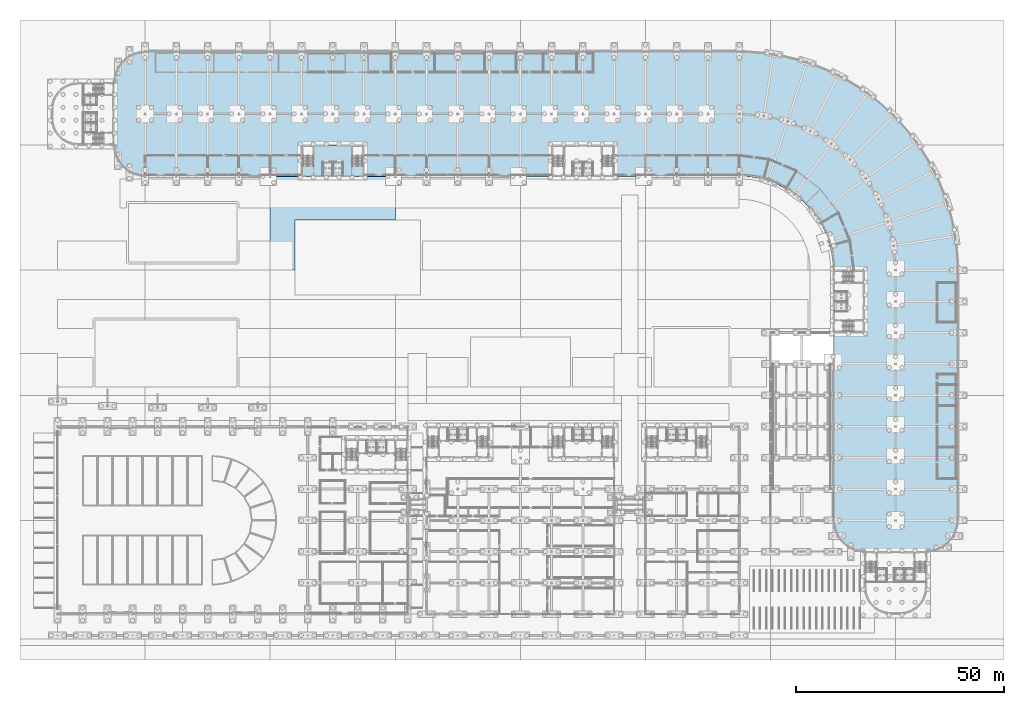
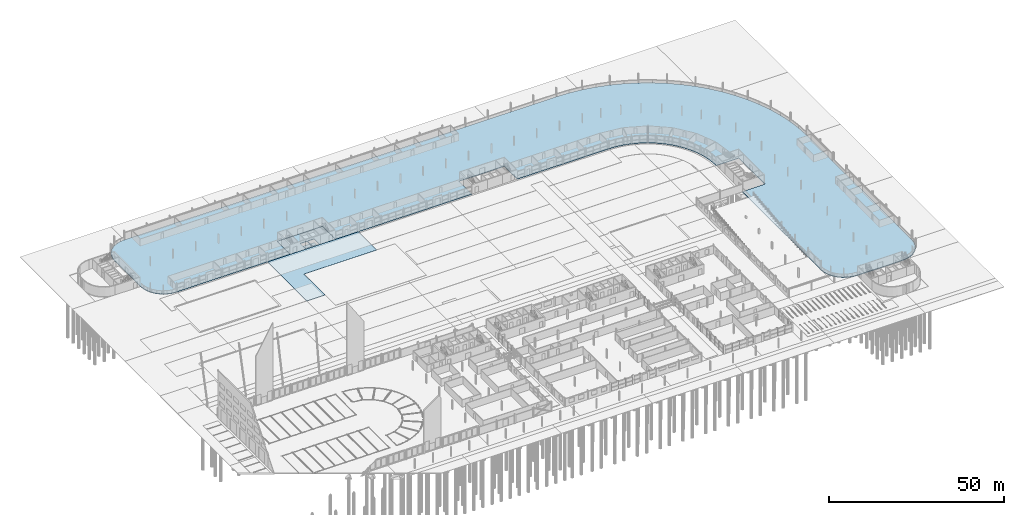
# One storey, part 69 of 130: 4 slabs.
"""IFC4 building model written with IfcOpenShell, lengths in metres."""

from ifc_helpers import new_model, si_unit, direction, frame, origin, place, context, subcontext, project, spatial, polyline, outline, extrude, material, layer, layer_set, type_object, element, save


model = new_model("IFC4")

# Units and contexts
model_context = context("Model", 3, precision=1e-05, world=origin(), true_north=direction((0.0, 1.0)))
body_context = subcontext(model_context, "Body", "Model", "MODEL_VIEW")
ifc_project = project(units=[si_unit("LENGTHUNIT", "METRE"), si_unit("AREAUNIT", "SQUARE_METRE"), si_unit("VOLUMEUNIT", "CUBIC_METRE"), si_unit("PLANEANGLEUNIT", "RADIAN"), si_unit("MASSUNIT", "GRAM", prefix="KILO")], contexts=[model_context])

# Site, building, storey
site_placement = place(None, origin())
site = spatial("IfcSite", under=ifc_project, at=site_placement, CompositionType="ELEMENT")
building_placement = place(site_placement, origin())
building = spatial("IfcBuilding", under=site, at=building_placement, Name="Parallax Yard Mobility Hub", CompositionType="ELEMENT")
storey_placement = place(building_placement, origin())
storey = spatial("IfcBuildingStorey", under=building, at=storey_placement, Name="L00", CompositionType="ELEMENT", Elevation=0.0)

# Slabs
ifc_material = material(Name="Concrete fc' 28 MPa", Category="concrete")
ifc_layer_1 = layer(ifc_material, 0.199951171875)
ifc_layer_set_1 = layer_set([ifc_layer_1], Name="Core ground slab 200")
slab_type_1 = type_object("IfcSlabType", Name="Core ground slab 200", PredefinedType="BASESLAB", material=ifc_layer_set_1)
slab_1_placement = place(storey_placement, frame((0.0, 0.0, -0.199951171875)))
element("IfcSlab", 1, at=slab_1_placement, inside=storey, type_object=slab_type_1, Name="Core C-N1 ground slab", PredefinedType="BASESLAB", context=body_context, shape_type="SweptSolid", body=[
    extrude(outline(polyline([(82.5, 112.5), (67.5, 112.5), (67.5, 120.0), (82.5, 120.0), (82.5, 112.5)]), holes=[polyline([(77.300048828125, 112.800048828125), (77.300048828125, 115.800048828125), (75.10009765625, 115.800048828125), (75.10009765625, 112.800048828125), (77.300048828125, 112.800048828125)]), polyline([(72.699951171875, 112.800048828125), (74.89990234375, 112.800048828125), (74.89990234375, 115.800048828125), (72.699951171875, 115.800048828125), (72.699951171875, 112.800048828125)])]), origin(), (0.0, 0.0, 1.0), 0.199951171875),
])
ifc_layer_2 = layer(ifc_material, 0.199951171875)
ifc_layer_set_2 = layer_set([ifc_layer_2], Name="Ground slab 200")
slab_type_2 = type_object("IfcSlabType", Name="Ground slab 200", PredefinedType="BASESLAB", material=ifc_layer_set_2)
slab_2_placement = place(storey_placement, frame((0.0, 0.0, -0.199951171875)))
element("IfcSlab", 2, at=slab_2_placement, inside=storey, type_object=slab_type_2, Name="Ground slab of the ramped parking decks", PredefinedType="BASESLAB", context=body_context, shape_type="SweptSolid", body=[
    extrude(outline(polyline([(25.833251953125, 141.236083984375), (24.69677734375, 140.30322265625), (23.763916015625, 139.166748046875), (23.07080078125, 137.8701171875), (22.64404296875, 136.463134765625), (22.5, 135.0), (22.5, 120.0), (22.64404296875, 118.536865234375), (23.07080078125, 117.1298828125), (23.763916015625, 115.833251953125), (24.69677734375, 114.69677734375), (25.833251953125, 113.763916015625), (27.1298828125, 113.07080078125), (28.536865234375, 112.64404296875), (30.0, 112.5), (67.5, 112.5), (67.5, 120.0), (82.5, 120.0), (82.5, 112.5), (127.5, 112.5), (127.5, 120.0), (142.5, 120.0), (142.5, 112.5), (172.5, 112.5), (173.9716796875, 112.451904296875), (175.436767578125, 112.3076171875), (176.889404296875, 112.067626953125), (178.323486328125, 111.7333984375), (179.732421875, 111.305908203125), (181.1103515625, 110.787353515625), (182.451416015625, 110.1796875), (183.75, 109.485595703125), (185.000244140625, 108.7080078125), (186.197021484375, 107.8505859375), (187.335205078125, 106.91650390625), (188.409912109375, 105.909912109375), (189.41650390625, 104.835205078125), (190.3505859375, 103.697021484375), (191.2080078125, 102.500244140625), (191.985595703125, 101.25), (192.6796875, 99.951416015625), (193.287353515625, 98.6103515625), (193.805908203125, 97.232421875), (194.2333984375, 95.823486328125), (194.567626953125, 94.389404296875), (194.8076171875, 92.936767578125), (194.951904296875, 91.4716796875), (195.0, 90.0), (202.5, 90.0), (202.5, 75.0), (195.0, 75.0), (195.0, 30.0), (195.14404296875, 28.536865234375), (195.57080078125, 27.1298828125), (196.263916015625, 25.833251953125), (197.19677734375, 24.69677734375), (198.333251953125, 23.763916015625), (199.6298828125, 23.07080078125), (201.036865234375, 22.64404296875), (202.5, 22.5), (217.5, 22.5), (218.963134765625, 22.64404296875), (220.3701171875, 23.07080078125), (221.666748046875, 23.763916015625), (222.80322265625, 24.69677734375), (223.736083984375, 25.833251953125), (224.42919921875, 27.1298828125), (224.85595703125, 28.536865234375), (225.0, 30.0), (225.0, 90.0), (224.978515625, 91.499267578125), (224.914306640625, 92.997314453125), (224.807373046875, 94.49267578125), (224.65771484375, 95.984619140625), (224.465576171875, 97.471435546875), (224.231201171875, 98.952392578125), (223.954345703125, 100.426025390625), (223.635498046875, 101.89111328125), (223.275146484375, 103.346435546875), (222.873291015625, 104.791015625), (222.430419921875, 106.223388671875), (221.94677734375, 107.642578125), (221.4228515625, 109.04736328125), (220.85888671875, 110.436767578125), (220.255615234375, 111.809326171875), (219.61328125, 113.1640625), (218.9326171875, 114.5), (218.214111328125, 115.81591796875), (217.458251953125, 117.11083984375), (216.665771484375, 118.383544921875), (215.83740234375, 119.63330078125), (214.973388671875, 120.858642578125), (214.074951171875, 122.05908203125), (213.142333984375, 123.233154296875), (212.177001953125, 124.380126953125), (211.178955078125, 125.499267578125), (210.1494140625, 126.589111328125), (209.089111328125, 127.6494140625), (207.999267578125, 128.678955078125), (206.880126953125, 129.677001953125), (205.733154296875, 130.642333984375), (204.55908203125, 131.574951171875), (203.358642578125, 132.473388671875), (202.13330078125, 133.33740234375), (200.883544921875, 134.165771484375), (199.61083984375, 134.958251953125), (198.31591796875, 135.714111328125), (197.0, 136.4326171875), (195.6640625, 137.11328125), (194.309326171875, 137.755615234375), (192.936767578125, 138.35888671875), (191.54736328125, 138.9228515625), (190.142578125, 139.44677734375), (188.723388671875, 139.930419921875), (187.291015625, 140.373291015625), (185.846435546875, 140.775146484375), (184.39111328125, 141.135498046875), (182.926025390625, 141.454345703125), (181.452392578125, 141.731201171875), (179.971435546875, 141.965576171875), (178.484619140625, 142.15771484375), (176.99267578125, 142.307373046875), (175.497314453125, 142.414306640625), (173.999267578125, 142.478515625), (172.5, 142.5), (30.0, 142.5), (28.536865234375, 142.35595703125), (27.1298828125, 141.92919921875), (25.833251953125, 141.236083984375)])), origin(), (0.0, 0.0, 1.0), 0.199951171875),
])
ifc_layer_3 = layer(ifc_material, 0.300048828125)
ifc_layer_set_3 = layer_set([ifc_layer_3], Name="Lift pit slab 300")
slab_type_3 = type_object("IfcSlabType", Name="Lift pit slab 300", PredefinedType="BASESLAB", material=ifc_layer_set_3)
slab_3_placement = place(storey_placement, frame((0.0, 0.0, -1.800048828125)))
element("IfcSlab", 3, at=slab_3_placement, inside=storey, type_object=slab_type_3, Name="Core C-N1 lift pit slab (shaft group 1)", PredefinedType="BASESLAB", context=body_context, shape_type="SweptSolid", body=[
    extrude(outline(polyline([(77.5, 116.0), (72.5, 116.0), (72.5, 112.5), (77.5, 112.5), (77.5, 116.0)])), origin(), (0.0, 0.0, 1.0), 0.300048828125),
])
ifc_layer_4 = layer(ifc_material, 0.14990234375)
ifc_layer_set_4 = layer_set([ifc_layer_4], Name="Public yard paving 150")
slab_type_4 = type_object("IfcSlabType", Name="Public yard paving 150", PredefinedType="FLOOR", material=ifc_layer_set_4)
slab_4_placement = place(storey_placement, frame((0.0, 0.0, -0.14990234375)))
element("IfcSlab", 4, at=slab_4_placement, inside=storey, type_object=slab_type_4, Name="Public yard paving panel 11", PredefinedType="FLOOR", context=body_context, shape_type="SweptSolid", body=[
    extrude(outline(polyline([(60.09912109375, 112.5), (60.09912109375, 112.5), (60.09912109375, 112.499755859375), (60.09912109375, 112.499755859375), (60.09912109375, 112.49951171875), (60.09912109375, 112.49951171875), (60.09912109375, 112.49951171875), (60.09912109375, 112.49951171875), (60.099365234375, 112.499267578125), (60.099365234375, 112.499267578125), (60.099365234375, 112.499267578125), (60.099609375, 112.4990234375), (60.099609375, 112.4990234375), (60.099609375, 112.4990234375), (60.099853515625, 112.4990234375), (60.099853515625, 112.4990234375), (60.10009765625, 112.4990234375), (67.5, 112.4990234375), (67.5, 112.4990234375), (67.500244140625, 112.4990234375), (67.500244140625, 112.4990234375), (67.50048828125, 112.4990234375), (67.50048828125, 112.4990234375), (67.50048828125, 112.499267578125), (67.50048828125, 112.499267578125), (67.500732421875, 112.499267578125), (67.500732421875, 112.49951171875), (67.500732421875, 112.49951171875), (67.5009765625, 112.49951171875), (67.5009765625, 112.49951171875), (67.5009765625, 112.499755859375), (67.5009765625, 112.499755859375), (67.5009765625, 112.5), (67.5009765625, 112.5), (82.4990234375, 112.5), (82.4990234375, 112.5), (82.4990234375, 112.499755859375), (82.4990234375, 112.499755859375), (82.4990234375, 112.49951171875), (82.4990234375, 112.49951171875), (82.499267578125, 112.49951171875), (82.499267578125, 112.49951171875), (82.499267578125, 112.499267578125), (82.49951171875, 112.499267578125), (82.49951171875, 112.499267578125), (82.49951171875, 112.4990234375), (82.49951171875, 112.4990234375), (82.499755859375, 112.4990234375), (82.499755859375, 112.4990234375), (82.5, 112.4990234375), (82.5, 112.4990234375), (89.89990234375, 112.4990234375), (89.900146484375, 112.4990234375), (89.900146484375, 112.4990234375), (89.900390625, 112.4990234375), (89.900390625, 112.4990234375), (89.900390625, 112.4990234375), (89.900634765625, 112.499267578125), (89.900634765625, 112.499267578125), (89.900634765625, 112.499267578125), (89.90087890625, 112.49951171875), (89.90087890625, 112.49951171875), (89.90087890625, 112.49951171875), (89.90087890625, 112.49951171875), (89.90087890625, 112.499755859375), (89.90087890625, 112.499755859375), (89.90087890625, 112.5), (89.90087890625, 112.5), (90.0, 112.5), (90.0, 102.0), (66.0, 102.0), (66.0, 90.0), (60.0, 90.0), (60.0, 112.5), (60.09912109375, 112.5)])), origin(), (0.0, 0.0, 1.0), 0.14990234375),
])

save(model, "model.ifc")
